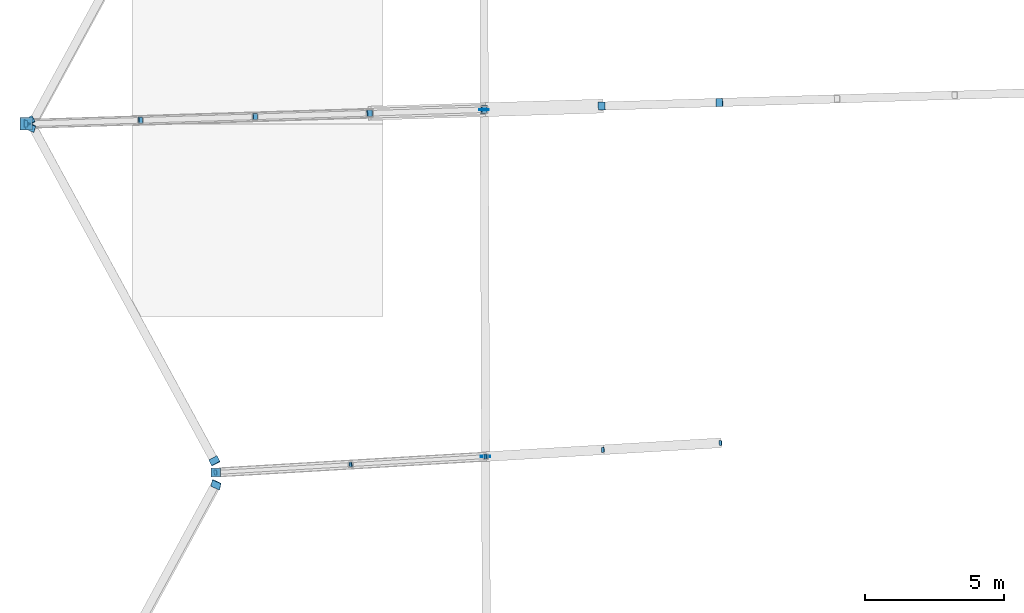
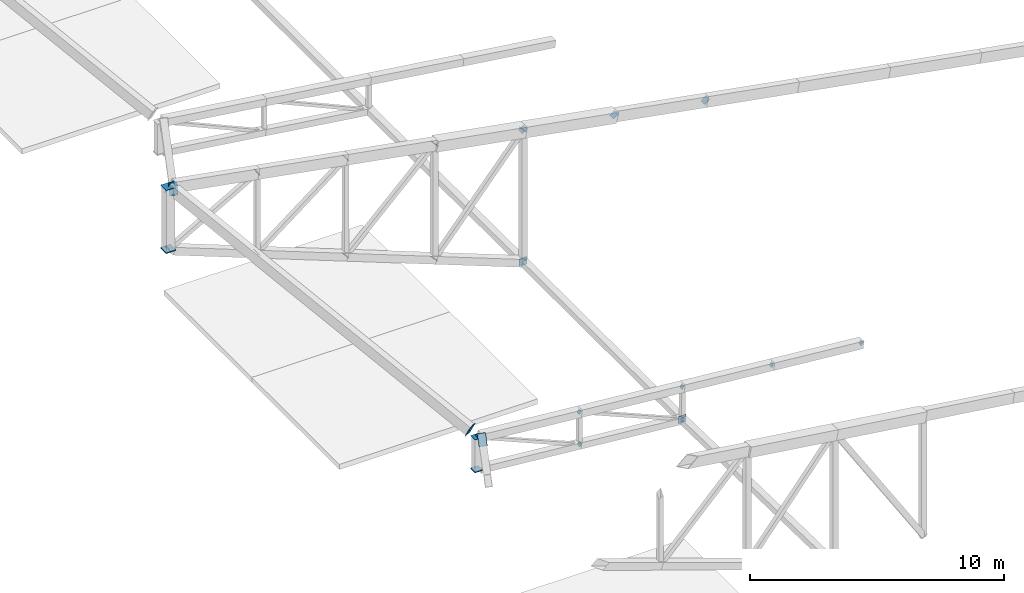
# One storey, part 135 of 188: 32 discrete accessories.
"""IFC4 building model written with IfcOpenShell, lengths in metres."""

from ifc_helpers import new_model, si_unit, direction, frame, origin, origin_2d, place, context, subcontext, project, spatial, rectangle, extrude, material, material_profile, profile_set, type_object, element, save


model = new_model("IFC4")

# Units and contexts
model_context = context("Model", 3, precision=1e-05, world=origin(), true_north=direction((0.0, 1.0)))
body_context = subcontext(model_context, "Body", "Model", "MODEL_VIEW")
ifc_project = project(units=[si_unit("LENGTHUNIT", "METRE"), si_unit("AREAUNIT", "SQUARE_METRE"), si_unit("VOLUMEUNIT", "CUBIC_METRE"), si_unit("PLANEANGLEUNIT", "RADIAN"), si_unit("MASSUNIT", "GRAM", prefix="KILO")], contexts=[model_context])

# Site, building, storey
site_placement = place(None, origin())
site = spatial("IfcSite", under=ifc_project, at=site_placement, CompositionType="ELEMENT")
building_placement = place(site_placement, origin())
building = spatial("IfcBuilding", under=site, at=building_placement, Name="Meseta Stadium", CompositionType="ELEMENT")
storey_placement = place(building_placement, frame((0.0, 0.0, 30.0)))
storey = spatial("IfcBuildingStorey", under=building, at=storey_placement, Name="ROOF", CompositionType="ELEMENT", Elevation=30.0)

# Discrete accessories
ifc_material_1 = material(Name="Steel S355", Category="steel")
ifc_material_profile_1 = material_profile(ifc_material_1, rectangle(XDim=0.179931640625, YDim=0.179931640625, at=origin_2d()), Name="PL 180x180")
ifc_profile_set_1 = profile_set([ifc_material_profile_1], Name="Steel S355")
discrete_accessory_type_1 = type_object("IfcDiscreteAccessoryType", Name="End plate 180x180x20", PredefinedType="ANCHORPLATE", material=ifc_profile_set_1)
for number, where, z_axis, x_axis, name in (
    (1, (-76.495361328125, -30.1865234375, 1.208984375), (-0.89817466964, -0.048549982143, 0.436949839284), (0.053975258015, -0.998542273278, 0.0), "End plate of ROOF TRUSS RT-35 diagonal"),
    (2, (-80.71044921875, -30.43408203125, 1.78173828125), (-0.890906631558, -0.048816801729, 0.451555415995), (0.054712446702, -0.998502152314, 0.0), "End plate of ROOF TRUSS RT-35 diagonal"),
    (3, (-84.92529296875, -30.681640625, 2.3544921875), (-0.890310108805, -0.060980144439, 0.451253068847), (0.068333052409, -0.997662565173, 0.0), "End plate of ROOF TRUSS RT-35 diagonal"),
    (4, (-84.9072265625, -30.6806640625, 0.791748046875), (-0.907582711304, -0.049058524935, 0.416997461951), (0.053975258015, -0.998542273278, 0.0), "End plate of ROOF TRUSS RT-35 diagonal"),
    (5, (-89.7626953125, -30.9658203125, 3.011962890625), (-0.906968995888, -0.061281688911, 0.416715484597), (0.067413857992, -0.997725098286, 0.0), "End plate of ROOF TRUSS RT-35 diagonal"),
    (6, (-89.744384765625, -30.96484375, 1.44921875), (-0.90970928719, -0.04851782865, 0.412401543526), (0.053257642916, -0.998580804678, 0.0), "End plate of ROOF TRUSS RT-35 diagonal"),
    (7, (-94.60009765625, -31.25, 3.66943359375), (-0.907582711304, -0.049058524935, 0.416997461951), (0.053975258015, -0.998542273278, 0.0), "End plate of ROOF TRUSS RT-35 diagonal"),
):
    element("IfcDiscreteAccessory", number, at=place(storey_placement, frame(where, z_axis=z_axis, x_axis=x_axis)), inside=storey, type_object=discrete_accessory_type_1, Name=name, PredefinedType="ANCHORPLATE", context=body_context, shape_type="SweptSolid", body=[
        extrude(rectangle(XDim=0.179931640625, YDim=0.179931640625, at=origin_2d()), origin(), (0.0, 0.0, 1.0), 0.02001953125),
    ])
ifc_material_2 = material(Name="Steel S355", Category="steel")
ifc_material_profile_2 = material_profile(ifc_material_2, rectangle(XDim=0.239990234375, YDim=0.239990234375, at=origin_2d()), Name="PL 240x240")
ifc_profile_set_2 = profile_set([ifc_material_profile_2], Name="Steel S355")
discrete_accessory_type_2 = type_object("IfcDiscreteAccessoryType", Name="End plate 240x240x20", PredefinedType="ANCHORPLATE", material=ifc_profile_set_2)
for number, where, z_axis, x_axis, name in (
    (8, (-84.96533203125, -18.2431640625, 7.19921875), (-0.66263904082, -0.024542186697, -0.74853669426), (0.03701166051, -0.999314833767, 0.0), "End plate of ROOF TRUSS RT-34 diagonal"),
    (9, (-89.083984375, -18.3701171875, 2.513427734375), (-0.66263904082, -0.024542186697, -0.74853669426), (0.03701166051, -0.999314833767, 0.0), "End plate of ROOF TRUSS RT-34 diagonal"),
):
    element("IfcDiscreteAccessory", number, at=place(storey_placement, frame(where, z_axis=z_axis, x_axis=x_axis)), inside=storey, type_object=discrete_accessory_type_2, Name=name, PredefinedType="ANCHORPLATE", context=body_context, shape_type="SweptSolid", body=[
        extrude(rectangle(XDim=0.239990234375, YDim=0.239990234375, at=origin_2d()), origin(), (0.0, 0.0, 1.0), 0.019775390625),
    ])
for number, where, z_axis, x_axis, name in (
    (10, (-89.0693359375, -18.36962890625, 8.027099609375), (-0.730838305701, -0.024361276857, -0.682115751988), (0.033314830233, -0.999444906979, 0.0), "End plate of ROOF TRUSS RT-34 diagonal"),
    (11, (-93.189208984375, -18.496826171875, 4.176025390625), (-0.730838305701, -0.024361276857, -0.682115751988), (0.033314830233, -0.999444906979, 0.0), "End plate of ROOF TRUSS RT-34 diagonal"),
    (12, (-93.173095703125, -18.496337890625, 8.8544921875), (-0.808493329958, -0.024499797878, -0.58799514906), (0.030289126641, -0.999541179145, 0.0), "End plate of ROOF TRUSS RT-34 diagonal"),
    (13, (-97.294677734375, -18.623291015625, 5.838623046875), (-0.808493329958, -0.024499797878, -0.58799514906), (0.030289126641, -0.999541179145, 0.0), "End plate of ROOF TRUSS RT-34 diagonal"),
    (14, (-97.277099609375, -18.622802734375, 9.681396484375), (-0.879029804347, -0.024417494565, -0.476141144021), (0.02776706724, -0.999614420653, 0.0), "End plate of ROOF TRUSS RT-34 diagonal"),
    (15, (-101.39990234375, -18.75, 7.501220703125), (-0.886755962446, -0.024294683903, -0.46159899415), (0.027386983732, -0.999624906213, 0.0), "End plate of ROOF TRUSS RT-34 diagonal"),
):
    element("IfcDiscreteAccessory", number, at=place(storey_placement, frame(where, z_axis=z_axis, x_axis=x_axis)), inside=storey, type_object=discrete_accessory_type_2, Name=name, PredefinedType="ANCHORPLATE", context=body_context, shape_type="SweptSolid", body=[
        extrude(rectangle(XDim=0.239990234375, YDim=0.239990234375, at=origin_2d()), origin(), (0.0, 0.0, 1.0), 0.02001953125),
    ])
ifc_material_3 = material(Name="Steel S355", Category="steel")
ifc_material_profile_3 = material_profile(ifc_material_3, rectangle(XDim=0.2900390625, YDim=0.2900390625, at=origin_2d()), Name="PL 290x290")
ifc_profile_set_3 = profile_set([ifc_material_profile_3], Name="Steel S355")
discrete_accessory_type_3 = type_object("IfcDiscreteAccessoryType", Name="End plate 290x290x20", PredefinedType="ANCHORPLATE", material=ifc_profile_set_3)
discrete_accessory_1_placement = place(storey_placement, frame((-76.5380859375, -17.9833984375, 5.4794921875), z_axis=(-0.60966543425, -0.012193308685, 0.792565064524), x_axis=(0.0199960012, -0.99980005998, 0.0)))
element("IfcDiscreteAccessory", 16, at=discrete_accessory_1_placement, inside=storey, type_object=discrete_accessory_type_3, Name="End plate of ROOF TRUSS RT-34 diagonal", PredefinedType="ANCHORPLATE", context=body_context, shape_type="SweptSolid", body=[
    extrude(rectangle(XDim=0.2900390625, YDim=0.2900390625, at=origin_2d()), origin(), (0.0, 0.0, 1.0), 0.02001953125),
])
discrete_accessory_2_placement = place(storey_placement, frame((-80.75830078125, -18.113525390625, 6.331787109375), z_axis=(-0.568539143234, -0.012096577516, 0.822567271062), x_axis=(0.021271781491, -0.999773730057, 0.0)))
element("IfcDiscreteAccessory", 17, at=discrete_accessory_2_placement, inside=storey, type_object=discrete_accessory_type_3, Name="End plate of ROOF TRUSS RT-34 diagonal", PredefinedType="ANCHORPLATE", context=body_context, shape_type="SweptSolid", body=[
    extrude(rectangle(XDim=0.2900390625, YDim=0.2900390625, at=origin_2d()), origin(), (0.0, 0.0, 1.0), 0.020263671875),
])
discrete_accessory_3_placement = place(storey_placement, frame((-84.978515625, -18.24365234375, 7.184326171875), z_axis=(-0.537625803814, -0.012218768269, 0.843095010527), x_axis=(0.022721405353, -0.999741835545, 0.0)))
element("IfcDiscreteAccessory", 18, at=discrete_accessory_3_placement, inside=storey, type_object=discrete_accessory_type_3, Name="End plate of ROOF TRUSS RT-34 diagonal", PredefinedType="ANCHORPLATE", context=body_context, shape_type="SweptSolid", body=[
    extrude(rectangle(XDim=0.2900390625, YDim=0.2900390625, at=origin_2d()), origin(), (0.0, 0.0, 1.0), 0.02001953125),
])
ifc_material_4 = material(Name="Steel S355", Category="steel")
ifc_material_profile_4 = material_profile(ifc_material_4, rectangle(XDim=0.340087890625, YDim=0.340087890625, at=origin_2d()), Name="PL 340x340")
ifc_profile_set_4 = profile_set([ifc_material_profile_4], Name="Steel S355")
discrete_accessory_type_4 = type_object("IfcDiscreteAccessoryType", Name="End plate 340x340x20", PredefinedType="ANCHORPLATE", material=ifc_profile_set_4)
for number, where, z_axis, x_axis, name in (
    (19, (-94.60009765625, -31.25, 2.094970703125), (0.0, 0.0, 1.0), (1.0, 0.0, 0.0), "End plate of ROOF TRUSS RT-35 post"),
    (20, (-94.60009765625, -31.25, 3.66943359375), (0.0, 0.0, 1.0), (1.0, 0.0, 0.0), "End plate of ROOF TRUSS RT-35 post"),
    (21, (-94.60009765625, -31.25, 2.114990234375), (0.0, 0.0, 1.0), (1.0, 0.0, 0.0), "End plate of ROOF RIM POST RT-35"),
    (22, (-84.978515625, -18.24365234375, 0.85107421875), (0.0, -1.0, 0.0), (1.0, 0.0, 0.0), "End plate of ROOF PIVOT STRUT RT-33/34"),
    (23, (-84.978759765625, -18.2236328125, 0.85107421875), (0.012194215217, -0.999925647793, 0.0), (0.999925647793, 0.012194215217, 0.0), "End plate of ROOF PIVOT STRUT RT-34/35"),
    (24, (-84.92529296875, -30.681640625, 0.800048828125), (0.0, -0.999925647793, -0.012194215217), (1.0, 0.0, 0.0), "End plate of ROOF PIVOT STRUT RT-34/35"),
    (25, (-84.92529296875, -30.66162109375, 0.799560546875), (0.0, -0.999702690643, 0.024382992455), (1.0, 0.0, 0.0), "End plate of ROOF PIVOT STRUT RT-35/36"),
):
    element("IfcDiscreteAccessory", number, at=place(storey_placement, frame(where, z_axis=z_axis, x_axis=x_axis)), inside=storey, type_object=discrete_accessory_type_4, Name=name, PredefinedType="ANCHORPLATE", context=body_context, shape_type="SweptSolid", body=[
        extrude(rectangle(XDim=0.340087890625, YDim=0.340087890625, at=origin_2d()), origin(), (0.0, 0.0, 1.0), 0.02001953125),
    ])
ifc_material_5 = material(Name="Steel S355", Category="steel")
ifc_material_profile_5 = material_profile(ifc_material_5, rectangle(XDim=0.340087890625, YDim=0.5400390625, at=origin_2d()), Name="PL 340x540")
ifc_profile_set_5 = profile_set([ifc_material_profile_5], Name="Steel S355")
discrete_accessory_type_5 = type_object("IfcDiscreteAccessoryType", Name="End plate 340x540x20", PredefinedType="ANCHORPLATE", material=ifc_profile_set_5)
discrete_accessory_4_placement = place(storey_placement, frame((-101.23583984375, -18.865234375, 10.4189453125), z_axis=(-0.428393042953, -0.795587079771, 0.428393042953), x_axis=(0.89526678838, -0.437922831559, 0.081981529769)))
element("IfcDiscreteAccessory", 26, at=discrete_accessory_4_placement, inside=storey, type_object=discrete_accessory_type_5, Name="End plate of RIM RING BEAM 34", PredefinedType="ANCHORPLATE", context=body_context, shape_type="SweptSolid", body=[
    extrude(rectangle(XDim=0.340087890625, YDim=0.5400390625, at=origin_2d()), origin(), (0.0, 0.0, 1.0), 0.02001953125),
])
discrete_accessory_5_placement = place(storey_placement, frame((-101.283935546875, -18.6337890625, 10.4150390625), z_axis=(0.432593554058, -0.791028213135, -0.432593554058), x_axis=(0.880104972638, 0.474621723488, 0.012225249688)))
element("IfcDiscreteAccessory", 27, at=discrete_accessory_5_placement, inside=storey, type_object=discrete_accessory_type_5, Name="End plate of RIM RING BEAM 35", PredefinedType="ANCHORPLATE", context=body_context, shape_type="SweptSolid", body=[
    extrude(rectangle(XDim=0.340087890625, YDim=0.5400390625, at=origin_2d()), origin(), (0.0, 0.0, 1.0), 0.019775390625),
])
for number, where, z_axis, x_axis, name in (
    (28, (-94.652099609375, -30.824462890625, 3.783203125), (0.428393042953, -0.795587079771, -0.428393042953), (0.883144135807, 0.468941695413, 0.012252415754), "End plate of RIM RING BEAM 35"),
    (29, (-94.58740234375, -31.68017578125, 3.793212890625), (-0.428393042953, -0.795587079771, 0.428393042953), (0.898795244127, -0.423973685574, 0.111415542346), "End plate of RIM RING BEAM 36"),
):
    element("IfcDiscreteAccessory", number, at=place(storey_placement, frame(where, z_axis=z_axis, x_axis=x_axis)), inside=storey, type_object=discrete_accessory_type_5, Name=name, PredefinedType="ANCHORPLATE", context=body_context, shape_type="SweptSolid", body=[
        extrude(rectangle(XDim=0.340087890625, YDim=0.5400390625, at=origin_2d()), origin(), (0.0, 0.0, 1.0), 0.02001953125),
    ])
ifc_material_6 = material(Name="Steel S355", Category="steel")
ifc_material_profile_6 = material_profile(ifc_material_6, rectangle(XDim=0.43994140625, YDim=0.43994140625, at=origin_2d()), Name="PL 440x440")
ifc_profile_set_6 = profile_set([ifc_material_profile_6], Name="Steel S355")
discrete_accessory_type_6 = type_object("IfcDiscreteAccessoryType", Name="End plate 440x440x20", PredefinedType="ANCHORPLATE", material=ifc_profile_set_6)
for number, where, z_axis, x_axis, name in (
    (30, (-101.39990234375, -18.75, 7.481201171875), (0.0, 0.0, 1.0), (1.0, 0.0, 0.0), "End plate of ROOF TRUSS RT-34 post"),
    (31, (-101.39990234375, -18.75, 10.501220703125), (0.0, 0.0, 1.0), (1.0, 0.0, 0.0), "End plate of ROOF TRUSS RT-34 post"),
    (32, (-101.39990234375, -18.75, 7.501220703125), (0.0, 0.0, 1.0), (1.0, 0.0, 0.0), "End plate of ROOF RIM POST RT-34"),
):
    element("IfcDiscreteAccessory", number, at=place(storey_placement, frame(where, z_axis=z_axis, x_axis=x_axis)), inside=storey, type_object=discrete_accessory_type_6, Name=name, PredefinedType="ANCHORPLATE", context=body_context, shape_type="SweptSolid", body=[
        extrude(rectangle(XDim=0.43994140625, YDim=0.43994140625, at=origin_2d()), origin(), (0.0, 0.0, 1.0), 0.02001953125),
    ])

save(model, "model.ifc")
